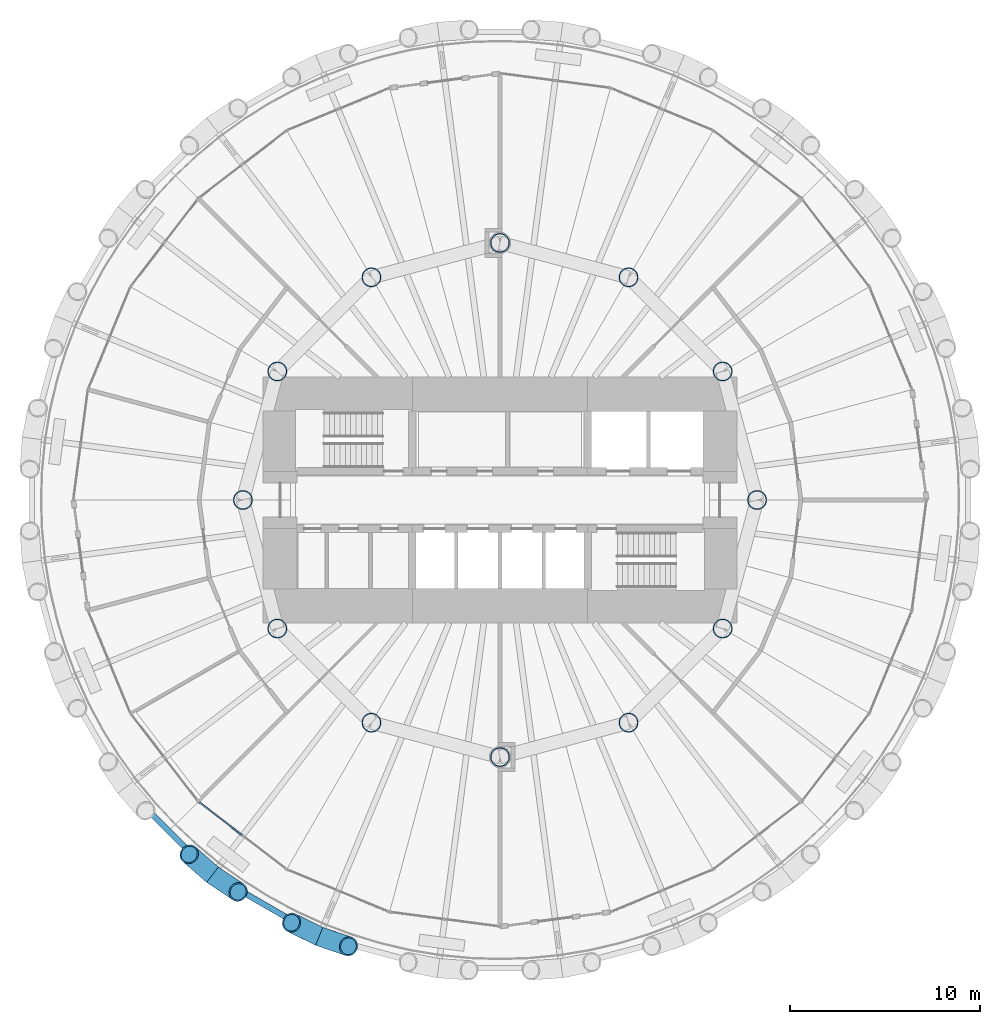
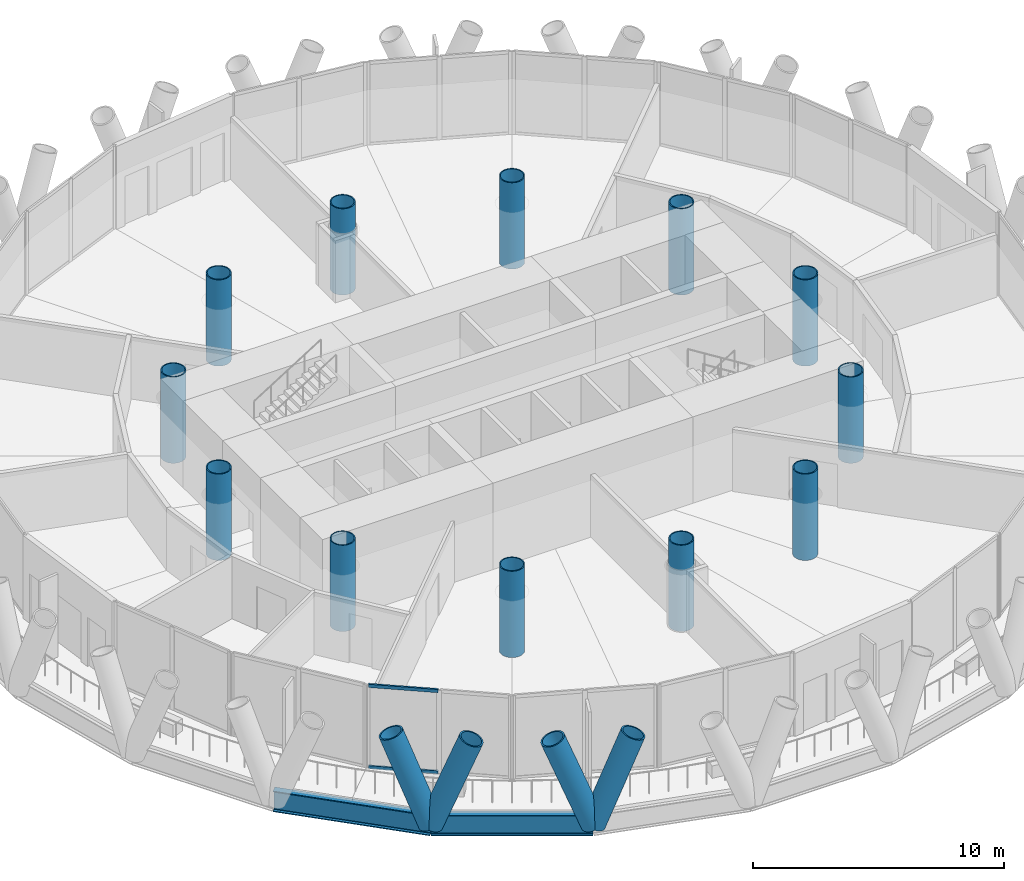
# One storey, part 1 of 14: 12 columns, 6 members, 2 beams, 1 element without a shape of its own.
"""IFC4 building model written with IfcOpenShell, lengths in metres."""

from ifc_helpers import new_model, si_unit, direction, frame, origin, origin_2d, place, context, subcontext, project, spatial, rectangle, hollow_circle, i_section, extrude, material, material_profile, profile_set, type_object, element, aggregate, save


model = new_model("IFC4")

# Units and contexts
model_context = context("Model", 3, precision=1e-05, world=origin(), true_north=direction((0.0, 1.0)))
body_context = subcontext(model_context, "Body", "Model", "MODEL_VIEW")
ifc_project = project(units=[si_unit("LENGTHUNIT", "METRE"), si_unit("AREAUNIT", "SQUARE_METRE"), si_unit("VOLUMEUNIT", "CUBIC_METRE"), si_unit("PLANEANGLEUNIT", "RADIAN"), si_unit("MASSUNIT", "GRAM", prefix="KILO")], contexts=[model_context])

# Site, building, storey
site_placement = place(None, origin())
site = spatial("IfcSite", under=ifc_project, at=site_placement, CompositionType="ELEMENT")
building_placement = place(site_placement, origin())
building = spatial("IfcBuilding", under=site, at=building_placement, Name="Qaws Media Tower", CompositionType="ELEMENT")
storey_placement = place(building_placement, frame((0.0, 0.0, 152.0)))
storey = spatial("IfcBuildingStorey", under=building, at=storey_placement, Name="L34", CompositionType="ELEMENT", Elevation=152.0)

# Columns
ifc_material_1 = material(Name="Steel S460", Category="steel")
ifc_material_profile_1 = material_profile(ifc_material_1, hollow_circle(Radius=0.508056640625, WallThickness=0.050048828125, at=origin_2d()), Name="CHS 1016x50")
ifc_profile_set_1 = profile_set([ifc_material_profile_1], Name="Steel S460")
column_type = type_object("IfcColumnType", Name="Inner column CHS 1016x50", PredefinedType="COLUMN", material=ifc_profile_set_1)
for number, where, z_axis, x_axis, name in (
    (1, (73.5, 50.0, 0.0), (0.0, 0.0, 1.0), (1.0, 0.0, 0.0), "C2 inner column I01 L34"),
    (2, (71.69140625, 56.75, 0.0), (0.0, 0.0, 1.0), (1.0, 0.0, 0.0), "C2 inner column I02 L34"),
    (3, (66.75, 61.69140625, 0.0), (0.0, 0.0, 1.0), (1.0, 0.0, 0.0), "C2 inner column I03 L34"),
    (4, (60.0, 63.5, 0.0), (0.0, 0.0, 1.0), (1.0, 0.0, 0.0), "C2 inner column I04 L34"),
    (5, (53.25, 61.69140625, 0.0), (0.0, 0.0, 1.0), (1.0, 0.0, 0.0), "C2 inner column I05 L34"),
    (6, (48.30859375, 56.75, 0.0), (0.0, 0.0, 1.0), (1.0, 0.0, 0.0), "C2 inner column I06 L34"),
    (7, (46.5, 50.0, 0.0), (0.0, 0.0, 1.0), (1.0, 0.0, 0.0), "C2 inner column I07 L34"),
    (8, (48.30859375, 43.25, 0.0), (0.0, 0.0, 1.0), (1.0, 0.0, 0.0), "C2 inner column I08 L34"),
    (9, (53.25, 38.30859375, 0.0), (0.0, 0.0, 1.0), (1.0, 0.0, 0.0), "C2 inner column I09 L34"),
    (10, (60.0, 36.5, 0.0), (0.0, 0.0, 1.0), (1.0, 0.0, 0.0), "C2 inner column I10 L34"),
    (11, (66.75, 38.30859375, 0.0), (0.0, 0.0, 1.0), (1.0, 0.0, 0.0), "C2 inner column I11 L34"),
    (12, (71.69140625, 43.25, 0.0), (0.0, 0.0, 1.0), (1.0, 0.0, 0.0), "C2 inner column I12 L34"),
):
    element("IfcColumn", number, at=place(storey_placement, frame(where, z_axis=z_axis, x_axis=x_axis)), inside=storey, type_object=column_type, Name=name, PredefinedType="COLUMN", context=body_context, shape_type="SweptSolid", body=[
        extrude(hollow_circle(Radius=0.508056640625, WallThickness=0.050048828125, at=origin_2d()), origin(), (0.0, 0.0, 1.0), 4.199951171875),
    ])

# Curtain wall, members
ifc_material_2 = material(Name="Aluminium and clear glass", Category="aluminium")
curtain_wall_type = type_object("IfcCurtainWallType", Name="Unitised curtain wall CW-B", PredefinedType="NOTDEFINED", material=ifc_material_2)
curtain_wall_placement = place(storey_placement, origin())
curtain_wall = element("IfcCurtainWall", 13, at=curtain_wall_placement, inside=storey, type_object=curtain_wall_type, Name="CWB curtain wall L34-16", PredefinedType="NOTDEFINED")
ifc_material_3 = material(Name="Aluminium transom", Category="aluminium")
ifc_material_profile_2 = material_profile(ifc_material_3, rectangle(XDim=0.080078125, YDim=0.159912109375, at=origin_2d()), Name="80x160")
ifc_profile_set_2 = profile_set([ifc_material_profile_2], Name="Aluminium transom")
member_type_1 = type_object("IfcMemberType", Name="Curtain wall transom 80x160", PredefinedType="USERDEFINED", material=ifc_profile_set_2)
member_1_placement = place(storey_placement, frame((44.224365234375, 34.112060546875, 0.0400390625), z_axis=(0.793358226524, -0.608755061094, 0.0), x_axis=(0.608755061094, 0.793358226524, 0.0)))
member_1 = element("IfcMember", 14, at=member_1_placement, type_object=member_type_1, Name="CWB transom 1.1", ObjectType="TRANSOM", PredefinedType="USERDEFINED", context=body_context, shape_type="SweptSolid", body=[
    extrude(rectangle(XDim=0.080078125, YDim=0.159912109375, at=origin_2d()), origin(), (0.0, 0.0, 1.0), 2.8037109375),
])
member_2_placement = place(storey_placement, frame((44.224365234375, 34.112060546875, 4.0), z_axis=(0.793358226524, -0.608755061094, 0.0), x_axis=(0.608755061094, 0.793358226524, 0.0)))
member_2 = element("IfcMember", 15, at=member_2_placement, type_object=member_type_1, Name="CWB transom 1.2", ObjectType="TRANSOM", PredefinedType="USERDEFINED", context=body_context, shape_type="SweptSolid", body=[
    extrude(rectangle(XDim=0.080078125, YDim=0.159912109375, at=origin_2d()), origin(), (0.0, 0.0, 1.0), 2.8037109375),
])
aggregate(curtain_wall, [member_1, member_2])

# Members
ifc_material_4 = material(Name="Steel S460", Category="steel")
ifc_material_profile_3 = material_profile(ifc_material_4, hollow_circle(Radius=0.508056640625, WallThickness=0.070068359375, at=origin_2d()), Name="CHS 1016x70")
ifc_profile_set_3 = profile_set([ifc_material_profile_3], Name="Steel S460")
member_type_2 = type_object("IfcMemberType", Name="Diagrid member CHS 1016x70", PredefinedType="USERDEFINED", material=ifc_profile_set_3)
for number, where, z_axis, x_axis, name in (
    (16, (44.90283203125, 30.324951171875, -0.6640625), (0.29916380796, -0.200743958142, 0.932846653677), (0.557198519366, 0.830379316949, 0.0), "DG3 diagrid L34 A16"),
    (17, (44.90283203125, 30.324951171875, -0.6640625), (-0.271348031437, 0.236968604592, 0.932853753958), (-0.657779667348, -0.753210401696, 0.0), "DG3 diagrid L34 B16"),
    (18, (50.509521484375, 27.087890625, -0.6640625), (0.340918595871, -0.116477357075, 0.932849149797), (0.323308237162, 0.946293709048, 0.0), "DG3 diagrid L34 A17"),
    (19, (50.509521484375, 27.087890625, -0.6640625), (-0.323405346097, 0.158720229381, 0.932854153071), (-0.440578360022, -0.897714157558, 0.0), "DG3 diagrid L34 B17"),
):
    element("IfcMember", number, at=place(storey_placement, frame(where, z_axis=z_axis, x_axis=x_axis)), inside=storey, type_object=member_type_2, Name=name, ObjectType="DIAGRID", PredefinedType="USERDEFINED", context=body_context, shape_type="SweptSolid", body=[
        extrude(hollow_circle(Radius=0.508056640625, WallThickness=0.070068359375, at=origin_2d()), origin(), (0.0, 0.0, 1.0), 4.502197265625),
    ])

# Beams
ifc_material_5 = material(Name="Steel S460", Category="steel")
ifc_material_profile_4 = material_profile(ifc_material_5, i_section(OverallWidth=0.302001953125, OverallDepth=1.008056640625, WebThickness=0.02099609375, FlangeThickness=0.0400390625, FilletRadius=0.030029296875, at=origin_2d()), Name="HE 1000 M")
ifc_profile_set_4 = profile_set([ifc_material_profile_4], Name="Steel S460")
beam_type = type_object("IfcBeamType", Name="Edge ring beam HE 1000 M", PredefinedType="BEAM", material=ifc_profile_set_4)
for number, where, z_axis, x_axis, name in (
    (20, (40.324951171875, 34.90283203125, -0.6640625), (0.707106781187, -0.707106781187, 0.0), (0.707106781187, 0.707106781187, 0.0), "RB3 edge ring beam L34-15"),
    (21, (44.90283203125, 30.324951171875, -0.6640625), (0.866022936961, -0.500004272639, 0.0), (0.500004272639, 0.866022936961, 0.0), "RB3 edge ring beam L34-16"),
):
    element("IfcBeam", number, at=place(storey_placement, frame(where, z_axis=z_axis, x_axis=x_axis)), inside=storey, type_object=beam_type, Name=name, PredefinedType="BEAM", context=body_context, shape_type="SweptSolid", body=[
        extrude(i_section(OverallWidth=0.302001953125, OverallDepth=1.008056640625, WebThickness=0.02099609375, FlangeThickness=0.0400390625, FilletRadius=0.030029296875, at=origin_2d()), origin(), (0.0, 0.0, 1.0), 6.47412109375),
    ])

save(model, "model.ifc")
